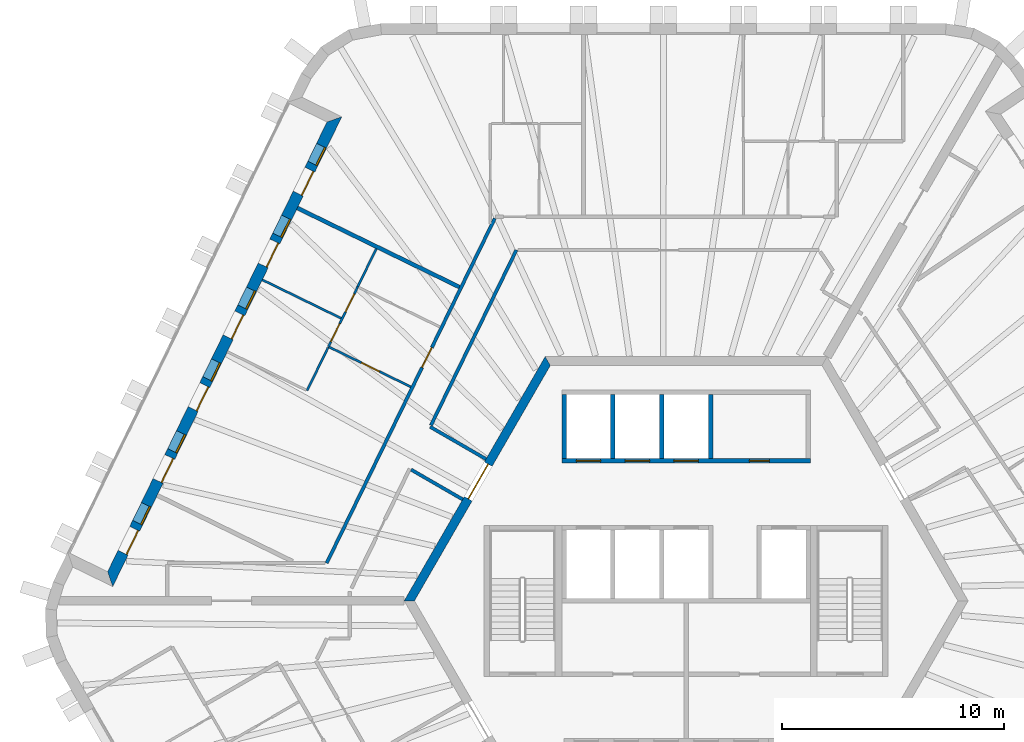
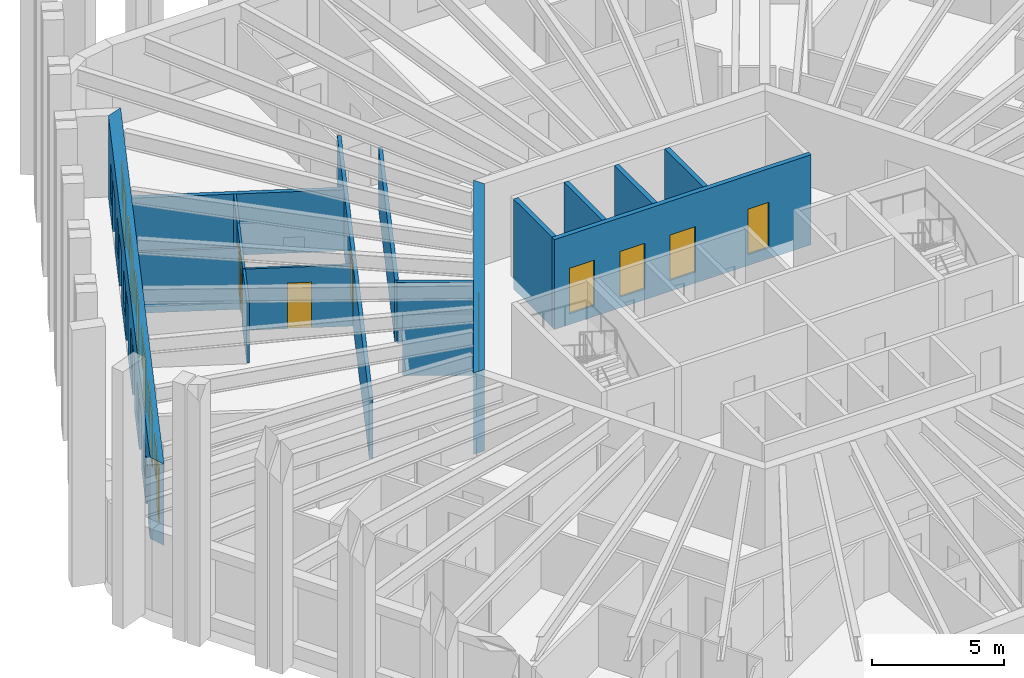
# One storey, part 8 of 13: 17 walls, 15 doors, 6 windows, 21 openings.
"""IFC4 building model written with IfcOpenShell, lengths in metres."""

from ifc_helpers import new_model, si_unit, direction, frame, frame_2d, origin, place, context, subcontext, project, spatial, polyline, rectangle, outline, extrude, material, layer, layer_set, type_object, element, fill, save


model = new_model("IFC4")

# Units and contexts
model_context = context("Model", 3, precision=1e-05, world=origin(), true_north=direction((0.0, 1.0)))
body_context = subcontext(model_context, "Body", "Model", "MODEL_VIEW")
ifc_project = project(units=[si_unit("LENGTHUNIT", "METRE"), si_unit("AREAUNIT", "SQUARE_METRE"), si_unit("VOLUMEUNIT", "CUBIC_METRE"), si_unit("PLANEANGLEUNIT", "RADIAN"), si_unit("MASSUNIT", "GRAM", prefix="KILO")], contexts=[model_context])

# Site, building, storey
site_placement = place(None, origin())
site = spatial("IfcSite", under=ifc_project, at=site_placement, CompositionType="ELEMENT")
building_placement = place(site_placement, origin())
building = spatial("IfcBuilding", under=site, at=building_placement, Name="Tarnside Tower", CompositionType="ELEMENT")
storey_placement = place(building_placement, frame((0.0, 0.0, 256.199951171875)))
storey = spatial("IfcBuildingStorey", under=building, at=storey_placement, Name="L61", CompositionType="ELEMENT", Elevation=256.199951171875)

# Wall
ifc_material_1 = material(Name="Gypsum board partition on steel studs", Category="steel")
ifc_layer_1 = layer(ifc_material_1, 0.10009765625)
ifc_layer_set_1 = layer_set([ifc_layer_1], Name="Bathroom wall 100")
wall_type_1 = type_object("IfcWallType", Name="Bathroom wall 100", PredefinedType="PARTITIONING", material=ifc_layer_set_1)
wall_1_placement = place(storey_placement, frame((-13.96044921875, 15.859619140625, 0.0), z_axis=(0.0, 0.0, 1.0), x_axis=(-0.438355705964, -0.898801577128, 0.0)))
element("IfcWall", 1, at=wall_1_placement, inside=storey, type_object=wall_type_1, Name="Bathroom wall 20105", PredefinedType="PARTITIONING", context=body_context, shape_type="SweptSolid", body=[
    extrude(rectangle(XDim=1.912109375, YDim=0.10009765625, at=frame_2d((0.9560546875, 0.0))), origin(), (0.0, 0.0, 1.0), 2.823486328125),
])

# Wall, opening, door
ifc_material_2 = material(Name="Concrete C60/75", Category="concrete")
ifc_layer_2 = layer(ifc_material_2, 0.39990234375)
ifc_layer_set_2 = layer_set([ifc_layer_2], Name="Core wall Z3 400 C60/75")
wall_type_2 = type_object("IfcWallType", Name="Core wall Z3 400 C60/75", PredefinedType="SHEAR", material=ifc_layer_set_2)
wall_2_placement = place(storey_placement, frame((-6.2353515625, 10.800048828125, 0.0), z_axis=(0.0, 0.0, 1.0), x_axis=(-0.499996419489, -0.866027470984, 0.0)))
wall_2 = element("IfcWall", 2, at=wall_2_placement, inside=storey, type_object=wall_type_2, Name="L61 core wall face 2", PredefinedType="SHEAR", context=body_context, shape_type="SweptSolid", body=[
    extrude(outline(polyline([(-0.115478515625, -0.199951171875), (12.586181640625, -0.199951171875), (12.355224609375, 0.199951171875), (0.115478515625, 0.199951171875), (-0.115478515625, -0.199951171875)])), origin(), (0.0, 0.0, 1.0), 3.75),
])
opening_1_placement = place(wall_2_placement, frame((5.3642578125, 0.0, 0.0)))
opening_1 = element("IfcOpeningElement", 3, at=opening_1_placement, cuts=wall_2, Name="Opening CD-LOB", PredefinedType="OPENING", context=body_context, shape_type="SweptSolid", body=[
    extrude(rectangle(XDim=1.800048828125, YDim=2.39990234375, at=frame_2d((0.89990234375, 1.199951171875))), frame((0.0, 0.2099609375, 0.0), z_axis=(0.0, -1.0, 0.0), x_axis=(1.0, 0.0, 0.0)), (0.0, 0.0, 1.0), 0.419921875),
])
ifc_material_3 = material(Name="Steel fire door", Category="steel")
door_type_1 = type_object("IfcDoorType", Name="Lobby double door FD30S 1800x2400", OperationType="NOTDEFINED", PredefinedType="DOOR", material=ifc_material_3)
door_1_placement = place(opening_1_placement, origin())
door_1 = element("IfcDoor", 4, at=door_1_placement, inside=storey, type_object=door_type_1, Name="L61 core door P1", OperationType="DOUBLE_DOOR_SINGLE_SWING", OverallHeight=2.39990234375, OverallWidth=1.800048828125, PredefinedType="DOOR", context=body_context, shape_type="SweptSolid", body=[
    extrude(rectangle(XDim=1.800048828125, YDim=2.39990234375, at=frame_2d((0.89990234375, 1.199951171875))), frame((0.0, 0.02490234375, 0.0), z_axis=(0.0, -1.0, 0.0), x_axis=(1.0, 0.0, 0.0)), (0.0, 0.0, 1.0), 0.050048828125),
])
fill(opening_1, door_1)

ifc_layer_3 = layer(ifc_material_1, 0.14990234375)
ifc_layer_set_3 = layer_set([ifc_layer_3], Name="Corridor wall 150 EI 60")
wall_type_3 = type_object("IfcWallType", Name="Corridor wall 150 EI 60", PredefinedType="PARTITIONING", material=ifc_layer_set_3)
wall_3_placement = place(storey_placement, frame((-8.62158203125, 17.22509765625, 0.0), z_axis=(0.0, 0.0, 1.0), x_axis=(-0.438366544921, -0.898796290765, 0.0)))
wall_3 = element("IfcWall", 5, at=wall_3_placement, inside=storey, type_object=wall_type_3, Name="Corridor wall 20007", PredefinedType="PARTITIONING", context=body_context, shape_type="SweptSolid", body=[
    extrude(rectangle(XDim=17.273193359375, YDim=0.14990234375, at=frame_2d((8.63671875, 0.0))), origin(), (0.0, 0.0, 1.0), 2.823486328125),
])
opening_2_placement = place(wall_3_placement, frame((6.4775390625, 0.0, 0.0)))
opening_2 = element("IfcOpeningElement", 6, at=opening_2_placement, cuts=wall_3, Name="Opening D-E1", PredefinedType="OPENING", context=body_context, shape_type="SweptSolid", body=[
    extrude(rectangle(XDim=1.0, YDim=2.10009765625, at=frame_2d((0.5, 1.050048828125))), frame((0.0, 0.0849609375, 0.0), z_axis=(0.0, -1.0, 0.0), x_axis=(1.0, 0.0, 0.0)), (0.0, 0.0, 1.0), 0.169921875),
])
ifc_material_4 = material(Name="Timber door leaf", Category="wood")
door_type_2 = type_object("IfcDoorType", Name="Unit entrance door 1000 FD30S", OperationType="NOTDEFINED", PredefinedType="DOOR", material=ifc_material_4)
door_2_placement = place(opening_2_placement, origin())
door_2 = element("IfcDoor", 7, at=door_2_placement, inside=storey, type_object=door_type_2, Name="Unit door 20015", OperationType="SINGLE_SWING_RIGHT", OverallHeight=2.10009765625, OverallWidth=1.0, PredefinedType="DOOR", context=body_context, shape_type="SweptSolid", body=[
    extrude(rectangle(XDim=1.0, YDim=2.10009765625, at=frame_2d((0.5, 1.050048828125))), frame((0.0, 0.02490234375, 0.0), z_axis=(0.0, -1.0, 0.0), x_axis=(1.0, 0.0, 0.0)), (0.0, 0.0, 1.0), 0.050048828125),
])
fill(opening_2, door_2)

# Walls
wall_4_placement = place(storey_placement, frame((-9.015625, 6.38427734375, 0.0), z_axis=(0.0, 0.0, 1.0), x_axis=(-0.866010648346, 0.500025556299, 0.0)))
element("IfcWall", 8, at=wall_4_placement, inside=storey, type_object=wall_type_3, Name="Corridor wall 20017", PredefinedType="PARTITIONING", context=body_context, shape_type="SweptSolid", body=[
    extrude(rectangle(XDim=2.905029296875, YDim=0.14990234375, at=frame_2d((1.45263671875, 0.0))), origin(), (0.0, 0.0, 1.0), 2.823486328125),
])
wall_5_placement = place(storey_placement, frame((-11.49853515625, 7.904541015625, 0.0), z_axis=(0.0, 0.0, 1.0), x_axis=(0.438365041944, 0.898797023805, 0.0)))
element("IfcWall", 9, at=wall_5_placement, inside=storey, type_object=wall_type_3, Name="Corridor wall 20018", PredefinedType="PARTITIONING", context=body_context, shape_type="SweptSolid", body=[
    extrude(rectangle(XDim=8.784423828125, YDim=0.14990234375, at=frame_2d((4.39208984375, 0.0))), origin(), (0.0, 0.0, 1.0), 2.823486328125),
])
wall_6_placement = place(storey_placement, frame((-12.389404296875, 5.9072265625, 0.0), z_axis=(0.0, 0.0, 1.0), x_axis=(0.866034066097, -0.499984996134, 0.0)))
element("IfcWall", 10, at=wall_6_placement, inside=storey, type_object=wall_type_3, Name="Corridor wall 20025", PredefinedType="PARTITIONING", context=body_context, shape_type="SweptSolid", body=[
    extrude(rectangle(XDim=2.68310546875, YDim=0.14990234375, at=frame_2d((1.341552734375, 0.0))), origin(), (0.0, 0.0, 1.0), 2.823486328125),
])
ifc_layer_4 = layer(ifc_material_1, 0.179931640625)
ifc_layer_set_4 = layer_set([ifc_layer_4], Name="Demising wall 180 EI 60")
wall_type_4 = type_object("IfcWallType", Name="Demising wall 180 EI 60", PredefinedType="PARTITIONING", material=ifc_layer_set_4)
wall_7_placement = place(storey_placement, frame((-17.51611328125, 17.694091796875, 0.0), z_axis=(0.0, 0.0, 1.0), x_axis=(0.898794723364, -0.438369758597, 0.0)))
element("IfcWall", 11, at=wall_7_placement, inside=storey, type_object=wall_type_4, Name="Demising wall 20093", PredefinedType="PARTITIONING", context=body_context, shape_type="SweptSolid", body=[
    extrude(rectangle(XDim=8.125, YDim=0.179931640625, at=frame_2d((4.0625, 0.0))), origin(), (0.0, 0.0, 1.0), 2.823486328125),
])

# Wall, openings, doors
ifc_material_5 = material(Name="Concrete C40/50", Category="concrete")
ifc_layer_5 = layer(ifc_material_5, 0.199951171875)
ifc_layer_set_5 = layer_set([ifc_layer_5], Name="Lift shaft wall 200 C40/50")
wall_type_5 = type_object("IfcWallType", Name="Lift shaft wall 200 C40/50", PredefinedType="SHEAR", material=ifc_layer_set_5)
wall_8_placement = place(storey_placement, frame((-5.60009765625, 6.300048828125, -0.5), z_axis=(0.0, 0.0, 1.0), x_axis=(1.0, 0.0, 0.0)))
wall_8 = element("IfcWall", 12, at=wall_8_placement, inside=storey, type_object=wall_type_5, Name="L61 lift shaft front wall R1", PredefinedType="SHEAR", context=body_context, shape_type="SweptSolid", body=[
    extrude(rectangle(XDim=11.2001953125, YDim=0.199951171875, at=frame_2d((5.60009765625, 0.0))), origin(), (0.0, 0.0, 1.0), 4.150146484375),
])
opening_3_placement = place(wall_8_placement, frame((8.449951171875, 0.0, 0.5)))
opening_3 = element("IfcOpeningElement", 13, at=opening_3_placement, cuts=wall_8, Name="Opening CD-room", PredefinedType="OPENING", context=body_context, shape_type="SweptSolid", body=[
    extrude(rectangle(XDim=0.89990234375, YDim=2.10009765625, at=frame_2d((0.449951171875, 1.050048828125))), frame((0.0, 0.10986328125, 0.0), z_axis=(0.0, -1.0, 0.0), x_axis=(1.0, 0.0, 0.0)), (0.0, 0.0, 1.0), 0.219970703125),
])
opening_4_placement = place(wall_8_placement, frame((0.64990234375, 0.0, 0.5)))
opening_4 = element("IfcOpeningElement", 14, at=opening_4_placement, cuts=wall_8, Name="Opening LD", PredefinedType="OPENING", context=body_context, shape_type="SweptSolid", body=[
    extrude(rectangle(XDim=1.10009765625, YDim=2.10009765625, at=frame_2d((0.550048828125, 1.050048828125))), frame((0.0, 0.10986328125, 0.0), z_axis=(0.0, -1.0, 0.0), x_axis=(1.0, 0.0, 0.0)), (0.0, 0.0, 1.0), 0.219970703125),
])
opening_5_placement = place(wall_8_placement, frame((2.85009765625, 0.0, 0.5)))
opening_5 = element("IfcOpeningElement", 15, at=opening_5_placement, cuts=wall_8, Name="Opening LD", PredefinedType="OPENING", context=body_context, shape_type="SweptSolid", body=[
    extrude(rectangle(XDim=1.10009765625, YDim=2.10009765625, at=frame_2d((0.550048828125, 1.050048828125))), frame((0.0, 0.10986328125, 0.0), z_axis=(0.0, -1.0, 0.0), x_axis=(1.0, 0.0, 0.0)), (0.0, 0.0, 1.0), 0.219970703125),
])
opening_6_placement = place(wall_8_placement, frame((5.050048828125, 0.0, 0.5)))
opening_6 = element("IfcOpeningElement", 16, at=opening_6_placement, cuts=wall_8, Name="Opening LD", PredefinedType="OPENING", context=body_context, shape_type="SweptSolid", body=[
    extrude(rectangle(XDim=1.10009765625, YDim=2.10009765625, at=frame_2d((0.550048828125, 1.050048828125))), frame((0.0, 0.10986328125, 0.0), z_axis=(0.0, -1.0, 0.0), x_axis=(1.0, 0.0, 0.0)), (0.0, 0.0, 1.0), 0.219970703125),
])
ifc_material_6 = material(Name="Stainless steel", Category="steel")
door_type_3 = type_object("IfcDoorType", Name="Lift landing door 1100x2100", OperationType="NOTDEFINED", PredefinedType="DOOR", material=ifc_material_6)
door_3_placement = place(opening_4_placement, origin())
door_3 = element("IfcDoor", 17, at=door_3_placement, inside=storey, type_object=door_type_3, Name="High-rise lift 1 landing door L61", OperationType="SLIDING_TO_LEFT", OverallHeight=2.10009765625, OverallWidth=1.10009765625, PredefinedType="DOOR", context=body_context, shape_type="SweptSolid", body=[
    extrude(rectangle(XDim=1.10009765625, YDim=2.10009765625, at=frame_2d((0.550048828125, 1.050048828125))), frame((0.0, 0.02490234375, 0.0), z_axis=(0.0, -1.0, 0.0), x_axis=(1.0, 0.0, 0.0)), (0.0, 0.0, 1.0), 0.050048828125),
])
fill(opening_4, door_3)
door_4_placement = place(opening_5_placement, origin())
door_4 = element("IfcDoor", 18, at=door_4_placement, inside=storey, type_object=door_type_3, Name="High-rise lift 2 landing door L61", OperationType="SLIDING_TO_LEFT", OverallHeight=2.10009765625, OverallWidth=1.10009765625, PredefinedType="DOOR", context=body_context, shape_type="SweptSolid", body=[
    extrude(rectangle(XDim=1.10009765625, YDim=2.10009765625, at=frame_2d((0.550048828125, 1.050048828125))), frame((0.0, 0.02490234375, 0.0), z_axis=(0.0, -1.0, 0.0), x_axis=(1.0, 0.0, 0.0)), (0.0, 0.0, 1.0), 0.050048828125),
])
fill(opening_5, door_4)
door_5_placement = place(opening_6_placement, origin())
door_5 = element("IfcDoor", 19, at=door_5_placement, inside=storey, type_object=door_type_3, Name="High-rise lift 3 landing door L61", OperationType="SLIDING_TO_LEFT", OverallHeight=2.10009765625, OverallWidth=1.10009765625, PredefinedType="DOOR", context=body_context, shape_type="SweptSolid", body=[
    extrude(rectangle(XDim=1.10009765625, YDim=2.10009765625, at=frame_2d((0.550048828125, 1.050048828125))), frame((0.0, 0.02490234375, 0.0), z_axis=(0.0, -1.0, 0.0), x_axis=(1.0, 0.0, 0.0)), (0.0, 0.0, 1.0), 0.050048828125),
])
fill(opening_6, door_5)
door_type_4 = type_object("IfcDoorType", Name="Room door FD60 900x2100", OperationType="NOTDEFINED", PredefinedType="DOOR", material=ifc_material_3)
door_6_placement = place(opening_3_placement, origin())
door_6 = element("IfcDoor", 20, at=door_6_placement, inside=storey, type_object=door_type_4, Name="L61 core room door FC1", OperationType="SINGLE_SWING_LEFT", OverallHeight=2.10009765625, OverallWidth=0.89990234375, PredefinedType="DOOR", context=body_context, shape_type="SweptSolid", body=[
    extrude(rectangle(XDim=0.89990234375, YDim=2.10009765625, at=frame_2d((0.449951171875, 1.050048828125))), frame((0.0, 0.02490234375, 0.0), z_axis=(0.0, -1.0, 0.0), x_axis=(1.0, 0.0, 0.0)), (0.0, 0.0, 1.0), 0.050048828125),
])
fill(opening_3, door_6)

# Walls
for number, where, z_axis, x_axis, name in (
    (21, (-5.5, 6.39990234375, -0.5), (0.0, 0.0, 1.0), (0.0, 1.0, 0.0), "L61 lift shaft partition R11"),
    (22, (-3.300048828125, 6.39990234375, -0.5), (0.0, 0.0, 1.0), (0.0, 1.0, 0.0), "L61 lift shaft partition R12"),
    (23, (-1.10009765625, 6.39990234375, -0.5), (0.0, 0.0, 1.0), (0.0, 1.0, 0.0), "L61 lift shaft partition R13"),
    (24, (1.10009765625, 6.39990234375, -0.5), (0.0, 0.0, 1.0), (0.0, 1.0, 0.0), "L61 lift shaft partition R14"),
):
    element("IfcWall", number, at=place(storey_placement, frame(where, z_axis=z_axis, x_axis=x_axis)), inside=storey, type_object=wall_type_5, Name=name, PredefinedType="SHEAR", context=body_context, shape_type="SweptSolid", body=[
        extrude(rectangle(XDim=2.900146484375, YDim=0.199951171875, at=frame_2d((1.4501953125, 0.0))), origin(), (0.0, 0.0, 1.0), 4.150146484375),
    ])

# Wall, openings, doors, windows
ifc_material_7 = material(Name="Dark zinc cladding")
ifc_layer_6 = layer(ifc_material_7, 0.10205078125)
ifc_material_8 = material(Name="Concrete C60/75 precast", Category="concrete")
ifc_layer_7 = layer(ifc_material_8, 0.298095703125)
ifc_material_9 = material(Name="Mineral wool insulation")
ifc_layer_8 = layer(ifc_material_9, 0.10009765625)
ifc_layer_set_6 = layer_set([ifc_layer_6, ifc_layer_7, ifc_layer_8], Name="Loggia wall 500 zinc faced")
wall_type_6 = type_object("IfcWallType", Name="Loggia wall 500 zinc faced", PredefinedType="SOLIDWALL", material=ifc_layer_set_6)
wall_9_placement = place(storey_placement, frame((-15.845947265625, 21.6884765625, 0.0), z_axis=(0.0, 0.0, 1.0), x_axis=(-0.438377502627, -0.898790946322, 0.0)))
wall_9 = element("IfcWall", 25, at=wall_9_placement, inside=storey, type_object=wall_type_6, Name="Tube wall L61 F2 back 06", PredefinedType="SOLIDWALL", context=body_context, shape_type="SweptSolid", body=[
    extrude(outline(polyline([(0.25, -0.25), (22.794677734375, -0.25), (23.294677734375, 0.25), (-0.25, 0.25), (0.25, -0.25)])), origin(), (0.0, 0.0, 1.0), 3.75),
])
opening_7_placement = place(wall_9_placement, frame((1.322509765625, 0.0, 0.89990234375)))
opening_7 = element("IfcOpeningElement", 26, at=opening_7_placement, cuts=wall_9, Name="Opening WL500", PredefinedType="OPENING", context=body_context, shape_type="SweptSolid", body=[
    extrude(rectangle(XDim=0.89990234375, YDim=1.5, at=frame_2d((0.449951171875, 0.75))), frame((0.0, 0.260009765625, 0.0), z_axis=(0.0, -1.0, 0.0), x_axis=(1.0, 0.0, 0.0)), (0.0, 0.0, 1.0), 0.52001953125),
])
opening_8_placement = place(wall_9_placement, frame((2.5224609375, 0.0, 0.0)))
opening_8 = element("IfcOpeningElement", 27, at=opening_8_placement, cuts=wall_9, Name="Opening DB500", PredefinedType="OPENING", context=body_context, shape_type="SweptSolid", body=[
    extrude(rectangle(XDim=1.199951171875, YDim=2.39990234375, at=frame_2d((0.60009765625, 1.199951171875))), frame((0.0, 0.260009765625, 0.0), z_axis=(0.0, -1.0, 0.0), x_axis=(1.0, 0.0, 0.0)), (0.0, 0.0, 1.0), 0.52001953125),
])
opening_9_placement = place(wall_9_placement, frame((4.92236328125, 0.0, 0.89990234375)))
opening_9 = element("IfcOpeningElement", 28, at=opening_9_placement, cuts=wall_9, Name="Opening WL500", PredefinedType="OPENING", context=body_context, shape_type="SweptSolid", body=[
    extrude(rectangle(XDim=0.89990234375, YDim=1.5, at=frame_2d((0.449951171875, 0.75))), frame((0.0, 0.260009765625, 0.0), z_axis=(0.0, -1.0, 0.0), x_axis=(1.0, 0.0, 0.0)), (0.0, 0.0, 1.0), 0.52001953125),
])
opening_10_placement = place(wall_9_placement, frame((6.122314453125, 0.0, 0.0)))
opening_10 = element("IfcOpeningElement", 29, at=opening_10_placement, cuts=wall_9, Name="Opening DB500", PredefinedType="OPENING", context=body_context, shape_type="SweptSolid", body=[
    extrude(rectangle(XDim=1.199951171875, YDim=2.39990234375, at=frame_2d((0.60009765625, 1.199951171875))), frame((0.0, 0.260009765625, 0.0), z_axis=(0.0, -1.0, 0.0), x_axis=(1.0, 0.0, 0.0)), (0.0, 0.0, 1.0), 0.52001953125),
])
opening_11_placement = place(wall_9_placement, frame((8.5224609375, 0.0, 0.89990234375)))
opening_11 = element("IfcOpeningElement", 30, at=opening_11_placement, cuts=wall_9, Name="Opening WL500", PredefinedType="OPENING", context=body_context, shape_type="SweptSolid", body=[
    extrude(rectangle(XDim=0.89990234375, YDim=1.5, at=frame_2d((0.449951171875, 0.75))), frame((0.0, 0.260009765625, 0.0), z_axis=(0.0, -1.0, 0.0), x_axis=(1.0, 0.0, 0.0)), (0.0, 0.0, 1.0), 0.52001953125),
])
opening_12_placement = place(wall_9_placement, frame((9.722412109375, 0.0, 0.0)))
opening_12 = element("IfcOpeningElement", 31, at=opening_12_placement, cuts=wall_9, Name="Opening DB500", PredefinedType="OPENING", context=body_context, shape_type="SweptSolid", body=[
    extrude(rectangle(XDim=1.199951171875, YDim=2.39990234375, at=frame_2d((0.60009765625, 1.199951171875))), frame((0.0, 0.260009765625, 0.0), z_axis=(0.0, -1.0, 0.0), x_axis=(1.0, 0.0, 0.0)), (0.0, 0.0, 1.0), 0.52001953125),
])
opening_13_placement = place(wall_9_placement, frame((12.122314453125, 0.0, 0.89990234375)))
opening_13 = element("IfcOpeningElement", 32, at=opening_13_placement, cuts=wall_9, Name="Opening WL500", PredefinedType="OPENING", context=body_context, shape_type="SweptSolid", body=[
    extrude(rectangle(XDim=0.89990234375, YDim=1.5, at=frame_2d((0.449951171875, 0.75))), frame((0.0, 0.260009765625, 0.0), z_axis=(0.0, -1.0, 0.0), x_axis=(1.0, 0.0, 0.0)), (0.0, 0.0, 1.0), 0.52001953125),
])
opening_14_placement = place(wall_9_placement, frame((13.322509765625, 0.0, 0.0)))
opening_14 = element("IfcOpeningElement", 33, at=opening_14_placement, cuts=wall_9, Name="Opening DB500", PredefinedType="OPENING", context=body_context, shape_type="SweptSolid", body=[
    extrude(rectangle(XDim=1.199951171875, YDim=2.39990234375, at=frame_2d((0.60009765625, 1.199951171875))), frame((0.0, 0.260009765625, 0.0), z_axis=(0.0, -1.0, 0.0), x_axis=(1.0, 0.0, 0.0)), (0.0, 0.0, 1.0), 0.52001953125),
])
opening_15_placement = place(wall_9_placement, frame((15.722412109375, 0.0, 0.89990234375)))
opening_15 = element("IfcOpeningElement", 34, at=opening_15_placement, cuts=wall_9, Name="Opening WL500", PredefinedType="OPENING", context=body_context, shape_type="SweptSolid", body=[
    extrude(rectangle(XDim=0.89990234375, YDim=1.5, at=frame_2d((0.449951171875, 0.75))), frame((0.0, 0.260009765625, 0.0), z_axis=(0.0, -1.0, 0.0), x_axis=(1.0, 0.0, 0.0)), (0.0, 0.0, 1.0), 0.52001953125),
])
opening_16_placement = place(wall_9_placement, frame((16.92236328125, 0.0, 0.0)))
opening_16 = element("IfcOpeningElement", 35, at=opening_16_placement, cuts=wall_9, Name="Opening DB500", PredefinedType="OPENING", context=body_context, shape_type="SweptSolid", body=[
    extrude(rectangle(XDim=1.199951171875, YDim=2.39990234375, at=frame_2d((0.60009765625, 1.199951171875))), frame((0.0, 0.260009765625, 0.0), z_axis=(0.0, -1.0, 0.0), x_axis=(1.0, 0.0, 0.0)), (0.0, 0.0, 1.0), 0.52001953125),
])
opening_17_placement = place(wall_9_placement, frame((19.322509765625, 0.0, 0.89990234375)))
opening_17 = element("IfcOpeningElement", 36, at=opening_17_placement, cuts=wall_9, Name="Opening WL500", PredefinedType="OPENING", context=body_context, shape_type="SweptSolid", body=[
    extrude(rectangle(XDim=0.89990234375, YDim=1.5, at=frame_2d((0.449951171875, 0.75))), frame((0.0, 0.260009765625, 0.0), z_axis=(0.0, -1.0, 0.0), x_axis=(1.0, 0.0, 0.0)), (0.0, 0.0, 1.0), 0.52001953125),
])
opening_18_placement = place(wall_9_placement, frame((20.5224609375, 0.0, 0.0)))
opening_18 = element("IfcOpeningElement", 37, at=opening_18_placement, cuts=wall_9, Name="Opening DB500", PredefinedType="OPENING", context=body_context, shape_type="SweptSolid", body=[
    extrude(rectangle(XDim=1.199951171875, YDim=2.39990234375, at=frame_2d((0.60009765625, 1.199951171875))), frame((0.0, 0.260009765625, 0.0), z_axis=(0.0, -1.0, 0.0), x_axis=(1.0, 0.0, 0.0)), (0.0, 0.0, 1.0), 0.52001953125),
])
ifc_material_10 = material(Name="Aluminium-framed double glazing", Category="aluminium")
door_type_5 = type_object("IfcDoorType", Name="Balcony sliding door 1200 x 2400 in 500 wall", OperationType="SLIDING_TO_LEFT", PredefinedType="DOOR", material=ifc_material_10)
door_7_placement = place(opening_8_placement, frame((0.0, 0.1748046875, 0.0)))
door_7 = element("IfcDoor", 38, at=door_7_placement, inside=storey, type_object=door_type_5, Name="E.BD.L61.F2.00", OperationType="SLIDING_TO_LEFT", OverallHeight=2.39990234375, OverallWidth=1.199951171875, PredefinedType="DOOR", context=body_context, shape_type="SweptSolid", body=[
    extrude(rectangle(XDim=1.199951171875, YDim=2.39990234375, at=frame_2d((0.60009765625, 1.199951171875))), frame((0.0, 0.02490234375, 0.0), z_axis=(0.0, -1.0, 0.0), x_axis=(1.0, 0.0, 0.0)), (0.0, 0.0, 1.0), 0.050048828125),
])
fill(opening_8, door_7)
door_8_placement = place(opening_10_placement, frame((0.0, 0.1748046875, 0.0)))
door_8 = element("IfcDoor", 39, at=door_8_placement, inside=storey, type_object=door_type_5, Name="E.BD.L61.F2.01", OperationType="SLIDING_TO_LEFT", OverallHeight=2.39990234375, OverallWidth=1.199951171875, PredefinedType="DOOR", context=body_context, shape_type="SweptSolid", body=[
    extrude(rectangle(XDim=1.199951171875, YDim=2.39990234375, at=frame_2d((0.60009765625, 1.199951171875))), frame((0.0, 0.02490234375, 0.0), z_axis=(0.0, -1.0, 0.0), x_axis=(1.0, 0.0, 0.0)), (0.0, 0.0, 1.0), 0.050048828125),
])
fill(opening_10, door_8)
door_9_placement = place(opening_12_placement, frame((0.0, 0.1748046875, 0.0)))
door_9 = element("IfcDoor", 40, at=door_9_placement, inside=storey, type_object=door_type_5, Name="E.BD.L61.F2.02", OperationType="SLIDING_TO_LEFT", OverallHeight=2.39990234375, OverallWidth=1.199951171875, PredefinedType="DOOR", context=body_context, shape_type="SweptSolid", body=[
    extrude(rectangle(XDim=1.199951171875, YDim=2.39990234375, at=frame_2d((0.60009765625, 1.199951171875))), frame((0.0, 0.02490234375, 0.0), z_axis=(0.0, -1.0, 0.0), x_axis=(1.0, 0.0, 0.0)), (0.0, 0.0, 1.0), 0.050048828125),
])
fill(opening_12, door_9)
door_10_placement = place(opening_14_placement, frame((0.0, 0.1748046875, 0.0)))
door_10 = element("IfcDoor", 41, at=door_10_placement, inside=storey, type_object=door_type_5, Name="E.BD.L61.F2.03", OperationType="SLIDING_TO_LEFT", OverallHeight=2.39990234375, OverallWidth=1.199951171875, PredefinedType="DOOR", context=body_context, shape_type="SweptSolid", body=[
    extrude(rectangle(XDim=1.199951171875, YDim=2.39990234375, at=frame_2d((0.60009765625, 1.199951171875))), frame((0.0, 0.02490234375, 0.0), z_axis=(0.0, -1.0, 0.0), x_axis=(1.0, 0.0, 0.0)), (0.0, 0.0, 1.0), 0.050048828125),
])
fill(opening_14, door_10)
door_11_placement = place(opening_16_placement, frame((0.0, 0.1748046875, 0.0)))
door_11 = element("IfcDoor", 42, at=door_11_placement, inside=storey, type_object=door_type_5, Name="E.BD.L61.F2.04", OperationType="SLIDING_TO_LEFT", OverallHeight=2.39990234375, OverallWidth=1.199951171875, PredefinedType="DOOR", context=body_context, shape_type="SweptSolid", body=[
    extrude(rectangle(XDim=1.199951171875, YDim=2.39990234375, at=frame_2d((0.60009765625, 1.199951171875))), frame((0.0, 0.02490234375, 0.0), z_axis=(0.0, -1.0, 0.0), x_axis=(1.0, 0.0, 0.0)), (0.0, 0.0, 1.0), 0.050048828125),
])
fill(opening_16, door_11)
door_12_placement = place(opening_18_placement, frame((0.0, 0.1748046875, 0.0)))
door_12 = element("IfcDoor", 43, at=door_12_placement, inside=storey, type_object=door_type_5, Name="E.BD.L61.F2.05", OperationType="SLIDING_TO_LEFT", OverallHeight=2.39990234375, OverallWidth=1.199951171875, PredefinedType="DOOR", context=body_context, shape_type="SweptSolid", body=[
    extrude(rectangle(XDim=1.199951171875, YDim=2.39990234375, at=frame_2d((0.60009765625, 1.199951171875))), frame((0.0, 0.02490234375, 0.0), z_axis=(0.0, -1.0, 0.0), x_axis=(1.0, 0.0, 0.0)), (0.0, 0.0, 1.0), 0.050048828125),
])
fill(opening_18, door_12)
window_type = type_object("IfcWindowType", Name="Loggia window 900 x 1500 in 500 wall", PartitioningType="SINGLE_PANEL", PredefinedType="WINDOW", material=ifc_material_10)
window_1_placement = place(opening_7_placement, frame((0.0, 0.179931640625, 0.0)))
window_1 = element("IfcWindow", 44, at=window_1_placement, inside=storey, type_object=window_type, Name="E.LW.L61.F2.00", OverallHeight=1.5, OverallWidth=0.89990234375, PartitioningType="SINGLE_PANEL", PredefinedType="WINDOW", context=body_context, shape_type="SweptSolid", body=[
    extrude(rectangle(XDim=0.89990234375, YDim=1.5, at=frame_2d((0.449951171875, 0.75))), frame((0.0, 0.030029296875, 0.0), z_axis=(0.0, -1.0, 0.0), x_axis=(1.0, 0.0, 0.0)), (0.0, 0.0, 1.0), 0.06005859375),
])
fill(opening_7, window_1)
window_2_placement = place(opening_9_placement, frame((0.0, 0.179931640625, 0.0)))
window_2 = element("IfcWindow", 45, at=window_2_placement, inside=storey, type_object=window_type, Name="E.LW.L61.F2.01", OverallHeight=1.5, OverallWidth=0.89990234375, PartitioningType="SINGLE_PANEL", PredefinedType="WINDOW", context=body_context, shape_type="SweptSolid", body=[
    extrude(rectangle(XDim=0.89990234375, YDim=1.5, at=frame_2d((0.449951171875, 0.75))), frame((0.0, 0.030029296875, 0.0), z_axis=(0.0, -1.0, 0.0), x_axis=(1.0, 0.0, 0.0)), (0.0, 0.0, 1.0), 0.06005859375),
])
fill(opening_9, window_2)
window_3_placement = place(opening_11_placement, frame((0.0, 0.179931640625, 0.0)))
window_3 = element("IfcWindow", 46, at=window_3_placement, inside=storey, type_object=window_type, Name="E.LW.L61.F2.02", OverallHeight=1.5, OverallWidth=0.89990234375, PartitioningType="SINGLE_PANEL", PredefinedType="WINDOW", context=body_context, shape_type="SweptSolid", body=[
    extrude(rectangle(XDim=0.89990234375, YDim=1.5, at=frame_2d((0.449951171875, 0.75))), frame((0.0, 0.030029296875, 0.0), z_axis=(0.0, -1.0, 0.0), x_axis=(1.0, 0.0, 0.0)), (0.0, 0.0, 1.0), 0.06005859375),
])
fill(opening_11, window_3)
window_4_placement = place(opening_13_placement, frame((0.0, 0.179931640625, 0.0)))
window_4 = element("IfcWindow", 47, at=window_4_placement, inside=storey, type_object=window_type, Name="E.LW.L61.F2.03", OverallHeight=1.5, OverallWidth=0.89990234375, PartitioningType="SINGLE_PANEL", PredefinedType="WINDOW", context=body_context, shape_type="SweptSolid", body=[
    extrude(rectangle(XDim=0.89990234375, YDim=1.5, at=frame_2d((0.449951171875, 0.75))), frame((0.0, 0.030029296875, 0.0), z_axis=(0.0, -1.0, 0.0), x_axis=(1.0, 0.0, 0.0)), (0.0, 0.0, 1.0), 0.06005859375),
])
fill(opening_13, window_4)
window_5_placement = place(opening_15_placement, frame((0.0, 0.179931640625, 0.0)))
window_5 = element("IfcWindow", 48, at=window_5_placement, inside=storey, type_object=window_type, Name="E.LW.L61.F2.04", OverallHeight=1.5, OverallWidth=0.89990234375, PartitioningType="SINGLE_PANEL", PredefinedType="WINDOW", context=body_context, shape_type="SweptSolid", body=[
    extrude(rectangle(XDim=0.89990234375, YDim=1.5, at=frame_2d((0.449951171875, 0.75))), frame((0.0, 0.030029296875, 0.0), z_axis=(0.0, -1.0, 0.0), x_axis=(1.0, 0.0, 0.0)), (0.0, 0.0, 1.0), 0.06005859375),
])
fill(opening_15, window_5)
window_6_placement = place(opening_17_placement, frame((0.0, 0.179931640625, 0.0)))
window_6 = element("IfcWindow", 49, at=window_6_placement, inside=storey, type_object=window_type, Name="E.LW.L61.F2.05", OverallHeight=1.5, OverallWidth=0.89990234375, PartitioningType="SINGLE_PANEL", PredefinedType="WINDOW", context=body_context, shape_type="SweptSolid", body=[
    extrude(rectangle(XDim=0.89990234375, YDim=1.5, at=frame_2d((0.449951171875, 0.75))), frame((0.0, 0.030029296875, 0.0), z_axis=(0.0, -1.0, 0.0), x_axis=(1.0, 0.0, 0.0)), (0.0, 0.0, 1.0), 0.06005859375),
])
fill(opening_17, window_6)

# Wall, opening, door
ifc_layer_9 = layer(ifc_material_1, 0.10009765625)
ifc_layer_set_7 = layer_set([ifc_layer_9], Name="Partition 100")
wall_type_7 = type_object("IfcWallType", Name="Partition 100", PredefinedType="PARTITIONING", material=ifc_layer_set_7)
wall_10_placement = place(storey_placement, frame((-12.4052734375, 9.638427734375, 0.0), z_axis=(0.0, 0.0, 1.0), x_axis=(-0.898810534939, 0.438337338454, 0.0)))
wall_10 = element("IfcWall", 50, at=wall_10_placement, inside=storey, type_object=wall_type_7, Name="Partition wall 20098", PredefinedType="PARTITIONING", context=body_context, shape_type="SweptSolid", body=[
    extrude(rectangle(XDim=4.125, YDim=0.10009765625, at=frame_2d((2.0625, 0.0))), origin(), (0.0, 0.0, 1.0), 2.823486328125),
])
opening_19_placement = place(wall_10_placement, frame((1.574951171875, 0.0, 0.0)))
opening_19 = element("IfcOpeningElement", 51, at=opening_19_placement, cuts=wall_10, Name="Opening D-I1", PredefinedType="OPENING", context=body_context, shape_type="SweptSolid", body=[
    extrude(rectangle(XDim=0.89990234375, YDim=2.10009765625, at=frame_2d((0.449951171875, 1.050048828125))), frame((0.0, 0.06005859375, 0.0), z_axis=(0.0, -1.0, 0.0), x_axis=(1.0, 0.0, 0.0)), (0.0, 0.0, 1.0), 0.1201171875),
])
door_type_6 = type_object("IfcDoorType", Name="Internal door 900", OperationType="NOTDEFINED", PredefinedType="DOOR", material=ifc_material_4)
door_13_placement = place(opening_19_placement, origin())
door_13 = element("IfcDoor", 52, at=door_13_placement, inside=storey, type_object=door_type_6, Name="Internal door 20017", OperationType="SINGLE_SWING_RIGHT", OverallHeight=2.10009765625, OverallWidth=0.89990234375, PredefinedType="DOOR", context=body_context, shape_type="SweptSolid", body=[
    extrude(rectangle(XDim=0.89990234375, YDim=2.10009765625, at=frame_2d((0.449951171875, 1.050048828125))), frame((0.0, 0.02490234375, 0.0), z_axis=(0.0, -1.0, 0.0), x_axis=(1.0, 0.0, 0.0)), (0.0, 0.0, 1.0), 0.050048828125),
])
fill(opening_19, door_13)

# Wall
wall_11_placement = place(storey_placement, frame((-16.1337890625, 11.403564453125, 0.0), z_axis=(0.0, 0.0, 1.0), x_axis=(-0.438343168157, -0.898807691851, 0.0)))
element("IfcWall", 53, at=wall_11_placement, inside=storey, type_object=wall_type_7, Name="Partition wall 20099", PredefinedType="PARTITIONING", context=body_context, shape_type="SweptSolid", body=[
    extrude(rectangle(XDim=2.152099609375, YDim=0.10009765625, at=frame_2d((1.076171875, 0.0))), origin(), (0.0, 0.0, 1.0), 2.823486328125),
])

# Wall, openings, doors
wall_12_placement = place(storey_placement, frame((-14.796875, 14.144775390625, 0.0), z_axis=(0.0, 0.0, 1.0), x_axis=(-0.438381999587, -0.898788752955, 0.0)))
wall_12 = element("IfcWall", 54, at=wall_12_placement, inside=storey, type_object=wall_type_7, Name="Partition wall 20103", PredefinedType="PARTITIONING", context=body_context, shape_type="SweptSolid", body=[
    extrude(rectangle(XDim=3.00390625, YDim=0.10009765625, at=frame_2d((1.501953125, 0.0))), origin(), (0.0, 0.0, 1.0), 2.823486328125),
])
opening_20_placement = place(wall_12_placement, frame((0.35205078125, 0.0, 0.0)))
opening_20 = element("IfcOpeningElement", 55, at=opening_20_placement, cuts=wall_12, Name="Opening D-I1", PredefinedType="OPENING", context=body_context, shape_type="SweptSolid", body=[
    extrude(rectangle(XDim=0.89990234375, YDim=2.10009765625, at=frame_2d((0.449951171875, 1.050048828125))), frame((0.0, 0.06005859375, 0.0), z_axis=(0.0, -1.0, 0.0), x_axis=(1.0, 0.0, 0.0)), (0.0, 0.0, 1.0), 0.1201171875),
])
opening_21_placement = place(wall_12_placement, frame((1.85205078125, 0.0, 0.0)))
opening_21 = element("IfcOpeningElement", 56, at=opening_21_placement, cuts=wall_12, Name="Opening D-I1", PredefinedType="OPENING", context=body_context, shape_type="SweptSolid", body=[
    extrude(rectangle(XDim=0.89990234375, YDim=2.10009765625, at=frame_2d((0.449951171875, 1.050048828125))), frame((0.0, 0.06005859375, 0.0), z_axis=(0.0, -1.0, 0.0), x_axis=(1.0, 0.0, 0.0)), (0.0, 0.0, 1.0), 0.1201171875),
])
door_14_placement = place(opening_20_placement, origin())
door_14 = element("IfcDoor", 57, at=door_14_placement, inside=storey, type_object=door_type_6, Name="Internal door 20018", OperationType="SINGLE_SWING_LEFT", OverallHeight=2.10009765625, OverallWidth=0.89990234375, PredefinedType="DOOR", context=body_context, shape_type="SweptSolid", body=[
    extrude(rectangle(XDim=0.89990234375, YDim=2.10009765625, at=frame_2d((0.449951171875, 1.050048828125))), frame((0.0, 0.02490234375, 0.0), z_axis=(0.0, -1.0, 0.0), x_axis=(1.0, 0.0, 0.0)), (0.0, 0.0, 1.0), 0.050048828125),
])
fill(opening_20, door_14)
door_15_placement = place(opening_21_placement, origin())
door_15 = element("IfcDoor", 58, at=door_15_placement, inside=storey, type_object=door_type_6, Name="Internal door 20019", OperationType="SINGLE_SWING_RIGHT", OverallHeight=2.10009765625, OverallWidth=0.89990234375, PredefinedType="DOOR", context=body_context, shape_type="SweptSolid", body=[
    extrude(rectangle(XDim=0.89990234375, YDim=2.10009765625, at=frame_2d((0.449951171875, 1.050048828125))), frame((0.0, 0.02490234375, 0.0), z_axis=(0.0, -1.0, 0.0), x_axis=(1.0, 0.0, 0.0)), (0.0, 0.0, 1.0), 0.050048828125),
])
fill(opening_21, door_15)

# Wall
wall_13_placement = place(storey_placement, frame((-19.09423828125, 14.45849609375, 0.0), z_axis=(0.0, 0.0, 1.0), x_axis=(0.898772603862, -0.438415107571, 0.0)))
element("IfcWall", 59, at=wall_13_placement, inside=storey, type_object=wall_type_7, Name="Partition wall 20106", PredefinedType="PARTITIONING", context=body_context, shape_type="SweptSolid", body=[
    extrude(rectangle(XDim=3.949951171875, YDim=0.10009765625, at=frame_2d((1.97509765625, 0.0))), origin(), (0.0, 0.0, 1.0), 2.823486328125),
])

save(model, "model.ifc")
